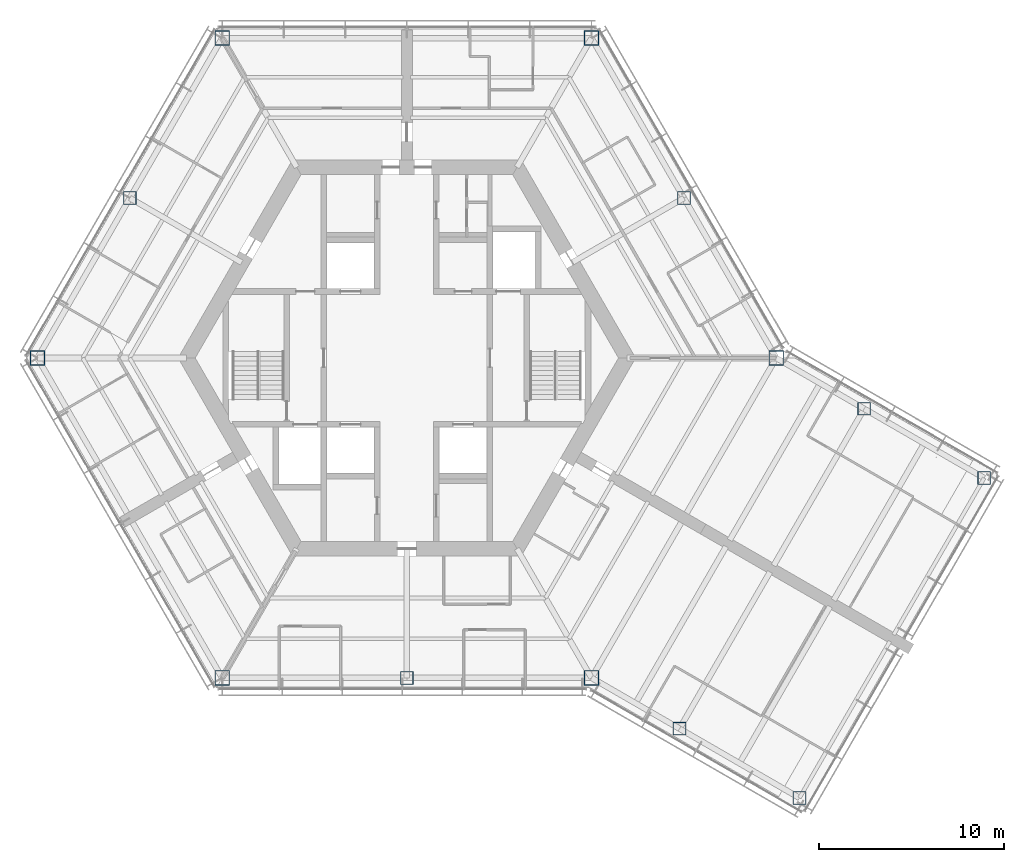
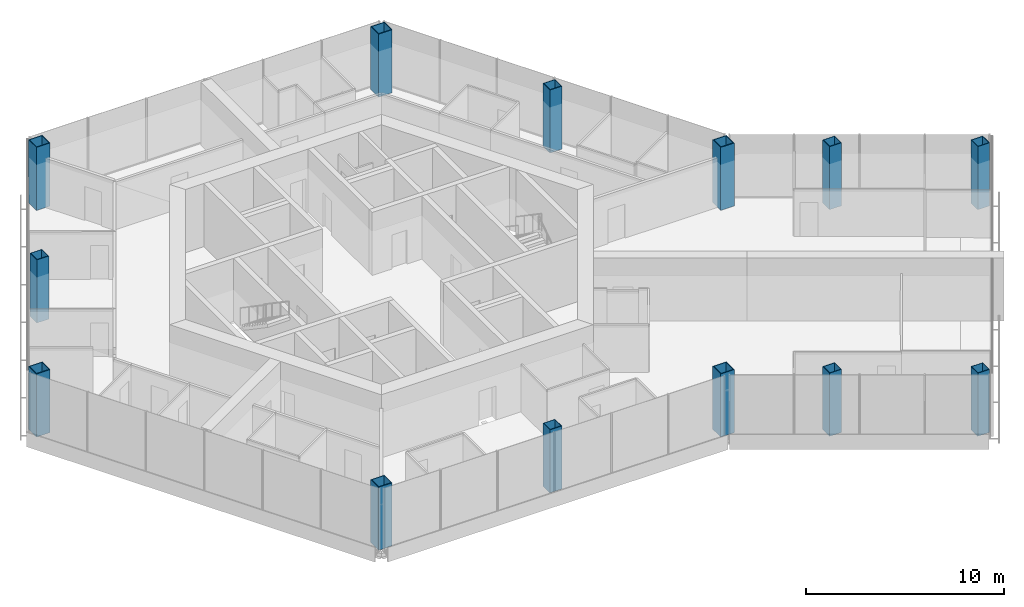
# One storey, part 1 of 17: 13 columns.
"""IFC4 building model written with IfcOpenShell, lengths in metres."""

from ifc_helpers import new_model, si_unit, direction, frame, origin, origin_2d, place, context, subcontext, project, spatial, hollow_rectangle, extrude, material, material_profile, profile_set, type_object, element, save


model = new_model("IFC4")

# Units and contexts
model_context = context("Model", 3, precision=1e-05, world=origin(), true_north=direction((0.0, 1.0)))
body_context = subcontext(model_context, "Body", "Model", "MODEL_VIEW")
ifc_project = project(units=[si_unit("LENGTHUNIT", "METRE"), si_unit("AREAUNIT", "SQUARE_METRE"), si_unit("VOLUMEUNIT", "CUBIC_METRE"), si_unit("PLANEANGLEUNIT", "RADIAN"), si_unit("MASSUNIT", "GRAM", prefix="KILO")], contexts=[model_context])

# Site, building, storey
site_placement = place(None, origin())
site = spatial("IfcSite", under=ifc_project, at=site_placement, CompositionType="ELEMENT")
building_placement = place(site_placement, origin())
building = spatial("IfcBuilding", under=site, at=building_placement, Name="Kasaneha Research Tower", CompositionType="ELEMENT")
storey_placement = place(building_placement, frame((0.0, 0.0, 224.5)))
storey = spatial("IfcBuildingStorey", under=building, at=storey_placement, Name="L56", CompositionType="ELEMENT", Elevation=224.5)

# Columns
ifc_material_1 = material(Name="Steel SN490C", Category="steel")
ifc_material_profile_1 = material_profile(ifc_material_1, hollow_rectangle(XDim=0.800048828125, YDim=0.800048828125, WallThickness=0.0400390625, at=origin_2d()), Name="BOX-800x800x40")
ifc_profile_set_1 = profile_set([ifc_material_profile_1], Name="Steel SN490C")
column_type_1 = type_object("IfcColumnType", Name="C4A column BOX-800x800x40", PredefinedType="COLUMN", material=ifc_profile_set_1)
for number, where, z_axis, x_axis, name in (
    (1, (20.0, 0.0, 0.0), (0.0, 0.0, 1.0), (1.0, 0.0, 0.0), "Column V0 L56"),
    (2, (10.0, 17.320556640625, 0.0), (0.0, 0.0, 1.0), (1.0, 0.0, 0.0), "Column V1 L56"),
    (3, (-10.0, 17.320556640625, 0.0), (0.0, 0.0, 1.0), (1.0, 0.0, 0.0), "Column V2 L56"),
    (4, (-20.0, 0.0, 0.0), (0.0, 0.0, 1.0), (1.0, 0.0, 0.0), "Column V3 L56"),
    (5, (-10.0, -17.320556640625, 0.0), (0.0, 0.0, 1.0), (1.0, 0.0, 0.0), "Column V4 L56"),
    (6, (10.0, -17.320556640625, 0.0), (0.0, 0.0, 1.0), (1.0, 0.0, 0.0), "Column V5 L56"),
):
    element("IfcColumn", number, at=place(storey_placement, frame(where, z_axis=z_axis, x_axis=x_axis)), inside=storey, type_object=column_type_1, Name=name, PredefinedType="COLUMN", context=body_context, shape_type="SweptSolid", body=[
        extrude(hollow_rectangle(XDim=0.800048828125, YDim=0.800048828125, WallThickness=0.0400390625, at=origin_2d()), origin(), (0.0, 0.0, 1.0), 3.89990234375),
    ])
ifc_material_2 = material(Name="Steel SN490C", Category="steel")
ifc_material_profile_2 = material_profile(ifc_material_2, hollow_rectangle(XDim=0.699951171875, YDim=0.699951171875, WallThickness=0.031982421875, at=origin_2d()), Name="BOX-700x700x32")
ifc_profile_set_2 = profile_set([ifc_material_profile_2], Name="Steel SN490C")
column_type_2 = type_object("IfcColumnType", Name="C4B column BOX-700x700x32", PredefinedType="COLUMN", material=ifc_profile_set_2)
for number, where, z_axis, x_axis, name in (
    (7, (15.0, 8.66015625, 0.0), (0.0, 0.0, 1.0), (1.0, 0.0, 0.0), "Column M030 L56"),
    (8, (-15.0, 8.66015625, 0.0), (0.0, 0.0, 1.0), (1.0, 0.0, 0.0), "Column M150 L56"),
    (9, (0.0, -17.320556640625, 0.0), (0.0, 0.0, 1.0), (1.0, 0.0, 0.0), "Column M270 L56"),
    (10, (14.76318359375, -20.070556640625, 0.0), (0.0, 0.0, 1.0), (1.0, 0.0, 0.0), "Column CSP L56"),
    (11, (21.25830078125, -23.820556640625, 0.0), (0.0, 0.0, 1.0), (1.0, 0.0, 0.0), "Column CTP L56"),
    (12, (24.76318359375, -2.75, 0.0), (0.0, 0.0, 1.0), (1.0, 0.0, 0.0), "Column CSN L56"),
    (13, (31.25830078125, -6.5, 0.0), (0.0, 0.0, 1.0), (1.0, 0.0, 0.0), "Column CTN L56"),
):
    element("IfcColumn", number, at=place(storey_placement, frame(where, z_axis=z_axis, x_axis=x_axis)), inside=storey, type_object=column_type_2, Name=name, PredefinedType="COLUMN", context=body_context, shape_type="SweptSolid", body=[
        extrude(hollow_rectangle(XDim=0.699951171875, YDim=0.699951171875, WallThickness=0.031982421875, at=origin_2d()), origin(), (0.0, 0.0, 1.0), 3.89990234375),
    ])

save(model, "model.ifc")
